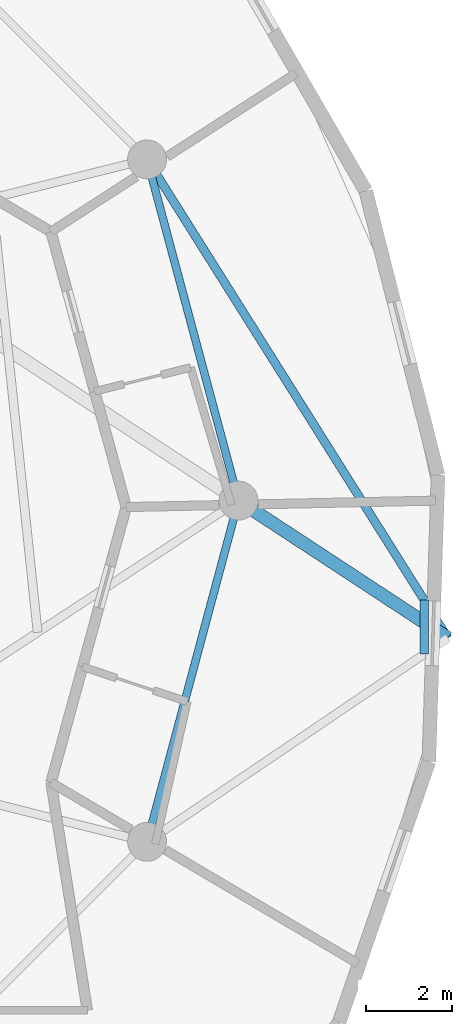
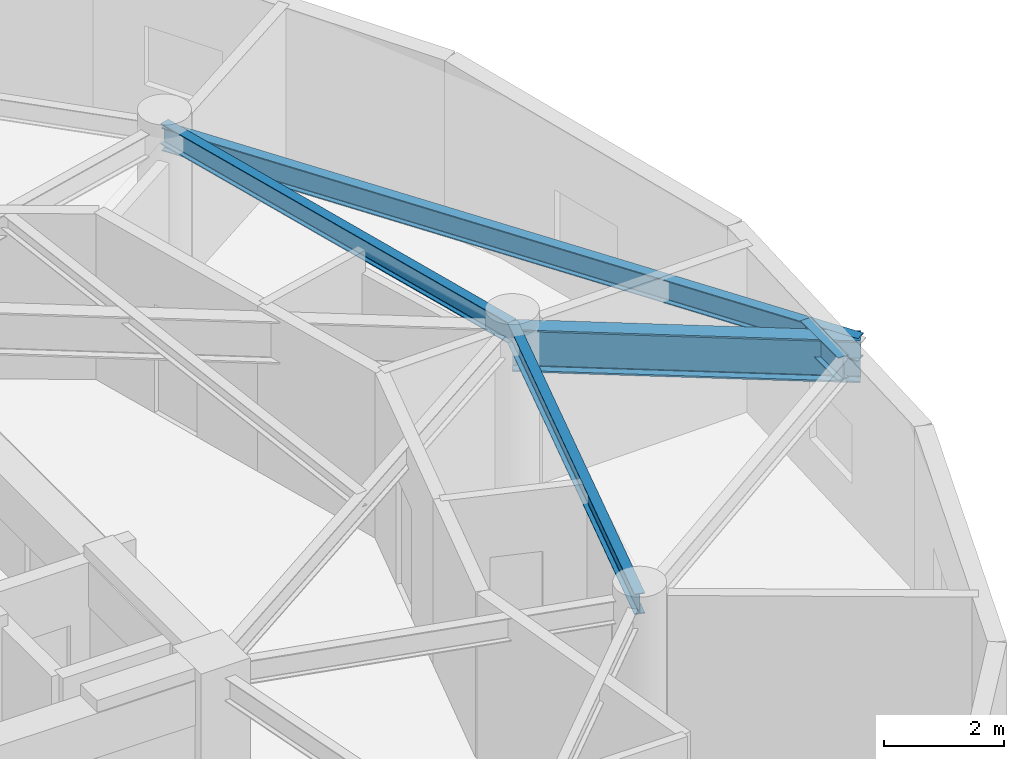
# One storey, part 10 of 19: 5 beams.
"""IFC4 building model written with IfcOpenShell, lengths in metres."""

import ifcopenshell
import ifcopenshell.guid

model = None  # the IFC model being written
_history = None  # IfcOwnerHistory: only IFC2X3 demands one
_inside = {}  # id of a spatial element -> (the spatial element, [elements in it])
_under = {}  # id of a project, library or spatial element -> (it, [spatial elements below it])
_declared = {}  # id of a project -> (the project, [libraries it declares])
_typed = {}  # id of a type object -> (the type object, [elements of that type])
_made_of = {}  # id of a material, layer set ... -> (it, [elements and type objects made of it])


def new_model(schema):
    """Start an empty IFC model of exactly this schema.

    Asked for "IFC4X3", IfcOpenShell would pick the latest addendum, in which some entities
    have other attributes; the version numbers below select the first issue.
    IFC2X3 requires an IfcOwnerHistory on every rooted entity: one is made here for all.
    """
    global model, _history
    if schema == "IFC4X3":
        model = ifcopenshell.file(schema_version=(4, 3, 0, 0))
    else:
        model = ifcopenshell.file(schema=schema)
    _inside.clear()
    _under.clear()
    _declared.clear()
    _typed.clear()
    _made_of.clear()
    _history = None
    if model.schema == "IFC2X3":
        org = make("IfcOrganization", Name="unknown")
        user = make(
            "IfcPersonAndOrganization",
            ThePerson=make("IfcPerson", FamilyName="unknown"),
            TheOrganization=org,
        )
        app = make(
            "IfcApplication",
            ApplicationDeveloper=org,
            Version="unknown",
            ApplicationFullName="unknown",
            ApplicationIdentifier="unknown",
        )
        _history = make(
            "IfcOwnerHistory",
            OwningUser=user,
            OwningApplication=app,
            ChangeAction="ADDED",
            CreationDate=0,
        )
    return model


def make(cls, **values):
    """One entity of the class cls with the attributes given. An attribute that is None is left unset."""
    return model.create_entity(
        cls, **{name: value for name, value in values.items() if value is not None}
    )


def rooted(cls, **values):
    """An entity with a GlobalId (a new one), such as an element, a storey or a relation."""
    return make(cls, GlobalId=ifcopenshell.guid.new(), OwnerHistory=_history, **values)


def si_unit(unit_type, name, prefix=None):
    """IfcSIUnit, for example si_unit("LENGTHUNIT", "METRE", prefix="MILLI")."""
    return make("IfcSIUnit", UnitType=unit_type, Prefix=prefix, Name=name)


def assignment(units):
    """IfcUnitAssignment: the units of a project."""
    return None if units is None else make("IfcUnitAssignment", Units=units)


def point(xyz):
    """IfcCartesianPoint."""
    return None if xyz is None else make("IfcCartesianPoint", Coordinates=xyz)


def direction(xyz):
    """IfcDirection."""
    return None if xyz is None else make("IfcDirection", DirectionRatios=xyz)


def frame(location, z_axis=None, x_axis=None):
    """IfcAxis2Placement3D, a coordinate frame: its origin and axes. An axis left out is left unset."""
    return make(
        "IfcAxis2Placement3D",
        Location=point(location),
        Axis=direction(z_axis),
        RefDirection=direction(x_axis),
    )


def frame_2d(location, x_axis=None):
    """IfcAxis2Placement2D, a coordinate frame in the plane: its origin and x axis."""
    return make(
        "IfcAxis2Placement2D", Location=point(location), RefDirection=direction(x_axis)
    )


def origin():
    """The frame at (0, 0, 0) with its axes left unset."""
    return frame((0.0, 0.0, 0.0))


def origin_2d():
    """The frame at (0, 0) in the plane with its x axis left unset."""
    return frame_2d((0.0, 0.0))


def place(relative_to, where):
    """IfcLocalPlacement: puts the frame where relative to a parent placement (None: the world)."""
    return make(
        "IfcLocalPlacement", PlacementRelTo=relative_to, RelativePlacement=where
    )


def context(
    kind, dimensions, precision=None, world=None, true_north=None, identifier=None
):
    """IfcGeometricRepresentationContext, for example the 3D "Model" context."""
    return make(
        "IfcGeometricRepresentationContext",
        ContextIdentifier=identifier,
        ContextType=kind,
        CoordinateSpaceDimension=dimensions,
        Precision=precision,
        WorldCoordinateSystem=world,
        TrueNorth=true_north,
    )


def subcontext(parent, identifier, kind, view, scale=None):
    """IfcGeometricRepresentationSubContext, for example "Body" below "Model"."""
    return make(
        "IfcGeometricRepresentationSubContext",
        ContextIdentifier=identifier,
        ContextType=kind,
        ParentContext=parent,
        TargetScale=scale,
        TargetView=view,
    )


def project(units=None, contexts=None):
    """IfcProject with its units and contexts."""
    return rooted(
        "IfcProject",
        Name="project",
        RepresentationContexts=contexts,
        UnitsInContext=assignment(units),
    )


def spatial(cls, under=None, at=None, **own):
    """A site, building, storey or space (cls), placed at a placement, below another one or the project."""
    s = rooted(cls, ObjectPlacement=at, **own)
    if under is not None:
        _under.setdefault(under.id(), (under, []))[1].append(s)
    return s


def profile(cls, at=None, kind="AREA", **sizes):
    """A parametric profile (cls). Its sizes go by their IFC names, for example OverallWidth=200.0."""
    return make(cls, ProfileType=kind, Position=at, **sizes)


def i_section(**sizes):
    """IfcIShapeProfileDef."""
    return profile("IfcIShapeProfileDef", **sizes)


def extrude(swept, where, along, depth):
    """IfcExtrudedAreaSolid: the profile swept, set in the frame where, extruded along a direction by depth."""
    return make(
        "IfcExtrudedAreaSolid",
        SweptArea=swept,
        Position=where,
        ExtrudedDirection=direction(along),
        Depth=depth,
    )


def shape(context_of_items, identifier, shape_type, items):
    """IfcShapeRepresentation: the items that make up one representation, for example the "Body"."""
    return make(
        "IfcShapeRepresentation",
        ContextOfItems=context_of_items,
        RepresentationIdentifier=identifier,
        RepresentationType=shape_type,
        Items=items,
    )


def material(Name=None, Category=None):
    """IfcMaterial."""
    return make("IfcMaterial", Name=Name, Category=Category)


def material_profile(
    of_material, cross_section, Name=None, Category=None, Priority=None
):
    """IfcMaterialProfile: a cross section and its material."""
    return make(
        "IfcMaterialProfile",
        Name=Name,
        Material=of_material,
        Profile=cross_section,
        Priority=Priority,
        Category=Category,
    )


def profile_set(profiles, Name=None, composite=None):
    """IfcMaterialProfileSet."""
    return make(
        "IfcMaterialProfileSet",
        Name=Name,
        MaterialProfiles=profiles,
        CompositeProfile=composite,
    )


def made_of(thing, what):
    """Note that an element or type object is made of a material, layer set ...; save() writes the relation."""
    if what is not None:
        _made_of.setdefault(what.id(), (what, []))[1].append(thing)
    return thing


def type_object(cls, material=None, **own):
    """A type object (cls), such as IfcWallType, which elements share."""
    return made_of(rooted(cls, **own), material)


def element(
    cls,
    number,
    at=None,
    inside=None,
    cuts=None,
    type_object=None,
    material=None,
    context=None,
    identifier="Body",
    shape_type=None,
    held_by="IfcProductDefinitionShape",
    body=None,
    shapes=None,
    **own,
):
    """One element of the class cls, such as IfcWall. Its Tag is "e" and its number.

    at: its placement. inside: the storey or other place that contains it. cuts: it is an
    opening in that element (IfcRelVoidsElement). A single representation is given by context,
    identifier, shape_type and body (its items); several are given by shapes. held_by: the class
    of the entity that holds the representations. save() writes the other relations.
    """
    e = rooted(cls, Tag="e%d" % number, ObjectPlacement=at, **own)
    if body is not None:
        shapes = [shape(context, identifier, shape_type, body)]
    if shapes is not None:
        e.Representation = make(held_by, Representations=shapes)
    if inside is not None:
        _inside.setdefault(inside.id(), (inside, []))[1].append(e)
    if cuts is not None:
        rooted(
            "IfcRelVoidsElement", RelatingBuildingElement=cuts, RelatedOpeningElement=e
        )
    if type_object is not None:
        _typed.setdefault(type_object.id(), (type_object, []))[1].append(e)
    return made_of(e, material)


def aggregate(whole, parts):
    """IfcRelAggregates: a whole, such as a stair, and the parts it consists of."""
    return rooted("IfcRelAggregates", RelatingObject=whole, RelatedObjects=parts)


def save(model, path):
    """Write the relations noted so far, then the file.

    IfcRelAggregates (storeys below a building ...), IfcRelContainedInSpatialStructure (elements
    in a storey), IfcRelDefinesByType, IfcRelAssociatesMaterial and IfcRelDeclares: one each for
    every whole, place, type object, material and project.
    """
    for whole, parts in _under.values():
        aggregate(whole, parts)
    for where, things in _inside.values():
        rooted(
            "IfcRelContainedInSpatialStructure",
            RelatedElements=things,
            RelatingStructure=where,
        )
    for kind, things in _typed.values():
        rooted("IfcRelDefinesByType", RelatedObjects=things, RelatingType=kind)
    for what, things in _made_of.values():
        rooted("IfcRelAssociatesMaterial", RelatedObjects=things, RelatingMaterial=what)
    for by, libraries in _declared.values():
        rooted("IfcRelDeclares", RelatingContext=by, RelatedDefinitions=libraries)
    model.write(path)


model = new_model("IFC4")

# Units and contexts
model_context = context("Model", 3, precision=1e-05, world=origin(), true_north=direction((0.0, 1.0)))
body_context = subcontext(model_context, "Body", "Model", "MODEL_VIEW")
ifc_project = project(units=[si_unit("LENGTHUNIT", "METRE"), si_unit("AREAUNIT", "SQUARE_METRE"), si_unit("VOLUMEUNIT", "CUBIC_METRE"), si_unit("PLANEANGLEUNIT", "RADIAN"), si_unit("MASSUNIT", "GRAM", prefix="KILO")], contexts=[model_context])

# Site, building, storey
site_placement = place(None, origin())
site = spatial("IfcSite", under=ifc_project, at=site_placement, CompositionType="ELEMENT")
building_placement = place(site_placement, origin())
building = spatial("IfcBuilding", under=site, at=building_placement, Name="Solvirekh Grand Hotel", CompositionType="ELEMENT")
storey_placement = place(building_placement, frame((0.0, 0.0, 212.800048828125)))
storey = spatial("IfcBuildingStorey", under=building, at=storey_placement, Name="L55", CompositionType="ELEMENT", Elevation=212.800048828125)

# Beams
ifc_material_1 = material(Name="Steel S460", Category="steel")
ifc_material_profile_1 = material_profile(ifc_material_1, i_section(OverallWidth=0.302001953125, OverallDepth=0.85498046875, WebThickness=0.01904296875, FlangeThickness=0.032958984375, FilletRadius=0.01806640625, at=origin_2d()), Name="W840X299")
ifc_profile_set_1 = profile_set([ifc_material_profile_1], Name="Steel S460")
beam_type_1 = type_object("IfcBeamType", Name="Beam_PoolTie_W840", PredefinedType="BEAM", material=ifc_profile_set_1)
beam_1_placement = place(storey_placement, frame((15.800048828125, 0.0, 2.862060546875), z_axis=(0.836190886008, -0.54843851265, 0.0), x_axis=(0.54843851265, 0.836190886008, 0.0)))
element("IfcBeam", 1, at=beam_1_placement, inside=storey, type_object=beam_type_1, Name="L56 sky-garden primary cantilever bracket", PredefinedType="BEAM", context=body_context, shape_type="SweptSolid", body=[
    extrude(i_section(OverallWidth=0.302001953125, OverallDepth=0.85498046875, WebThickness=0.01904296875, FlangeThickness=0.032958984375, FilletRadius=0.01806640625, at=origin_2d()), origin(), (0.0, 0.0, 1.0), 5.800048828125),
])
ifc_material_2 = material(Name="Steel S355", Category="steel")
ifc_material_profile_2 = material_profile(ifc_material_2, i_section(OverallWidth=0.194091796875, OverallDepth=0.468994140625, WebThickness=0.010986328125, FlangeThickness=0.01904296875, FilletRadius=0.012939453125, at=origin_2d()), Name="W460X106")
ifc_profile_set_2 = profile_set([ifc_material_profile_2], Name="Steel S355")
beam_type_2 = type_object("IfcBeamType", Name="Beam_Radial_W460H", PredefinedType="BEAM", material=ifc_profile_set_2)
beam_2_placement = place(storey_placement, frame((13.68310546875, 7.89990234375, 3.055908203125), z_axis=(0.532265513475, -0.846577476174, 0.0), x_axis=(0.846577476174, 0.532265513475, 0.0)))
element("IfcBeam", 2, at=beam_2_placement, inside=storey, type_object=beam_type_2, Name="L56 sky-garden edge tie beam 2", PredefinedType="BEAM", context=body_context, shape_type="SweptSolid", body=[
    extrude(i_section(OverallWidth=0.194091796875, OverallDepth=0.468994140625, WebThickness=0.010986328125, FlangeThickness=0.01904296875, FilletRadius=0.012939453125, at=origin_2d()), origin(), (0.0, 0.0, 1.0), 13.0888671875),
])
beam_3_placement = place(storey_placement, frame((20.09912109375, -3.553955078125, 3.055908203125), z_axis=(0.0, 1.0, 0.0), x_axis=(-1.0, 0.0, 0.0)))
element("IfcBeam", 3, at=beam_3_placement, inside=storey, type_object=beam_type_2, Name="L56 sky-garden outer cross trimmer", PredefinedType="BEAM", context=body_context, shape_type="SweptSolid", body=[
    extrude(i_section(OverallWidth=0.194091796875, OverallDepth=0.468994140625, WebThickness=0.010986328125, FlangeThickness=0.01904296875, FilletRadius=0.012939453125, at=origin_2d()), origin(), (0.0, 0.0, 1.0), 1.25),
])
ifc_material_profile_3 = material_profile(ifc_material_2, i_section(OverallWidth=0.180908203125, OverallDepth=0.4169921875, WebThickness=0.010009765625, FlangeThickness=0.01611328125, FilletRadius=0.011962890625, at=origin_2d()), Name="W410X85")
ifc_profile_set_3 = profile_set([ifc_material_profile_3], Name="Steel S355")
beam_type_3 = type_object("IfcBeamType", Name="Spandrel_Ring_W410", PredefinedType="SPANDREL", material=ifc_profile_set_3)
for number, where, z_axis, x_axis, name in (
    (4, (15.800048828125, 0.0, 3.15185546875), (-0.258838541915, 0.965920601923, 0.0), (-0.965920601923, -0.258838541915, 0.0), "L55 perimeter spandrel beam 1"),
    (5, (13.68310546875, -7.89990234375, 3.15185546875), (0.258838541915, 0.965920601923, 0.0), (-0.965920601923, 0.258838541915, 0.0), "L55 perimeter spandrel beam 12"),
):
    element("IfcBeam", number, at=place(storey_placement, frame(where, z_axis=z_axis, x_axis=x_axis)), inside=storey, type_object=beam_type_3, Name=name, PredefinedType="SPANDREL", context=body_context, shape_type="SweptSolid", body=[
        extrude(i_section(OverallWidth=0.180908203125, OverallDepth=0.4169921875, WebThickness=0.010009765625, FlangeThickness=0.01611328125, FilletRadius=0.011962890625, at=origin_2d()), origin(), (0.0, 0.0, 1.0), 8.1787109375),
    ])

save(model, "model.ifc")
